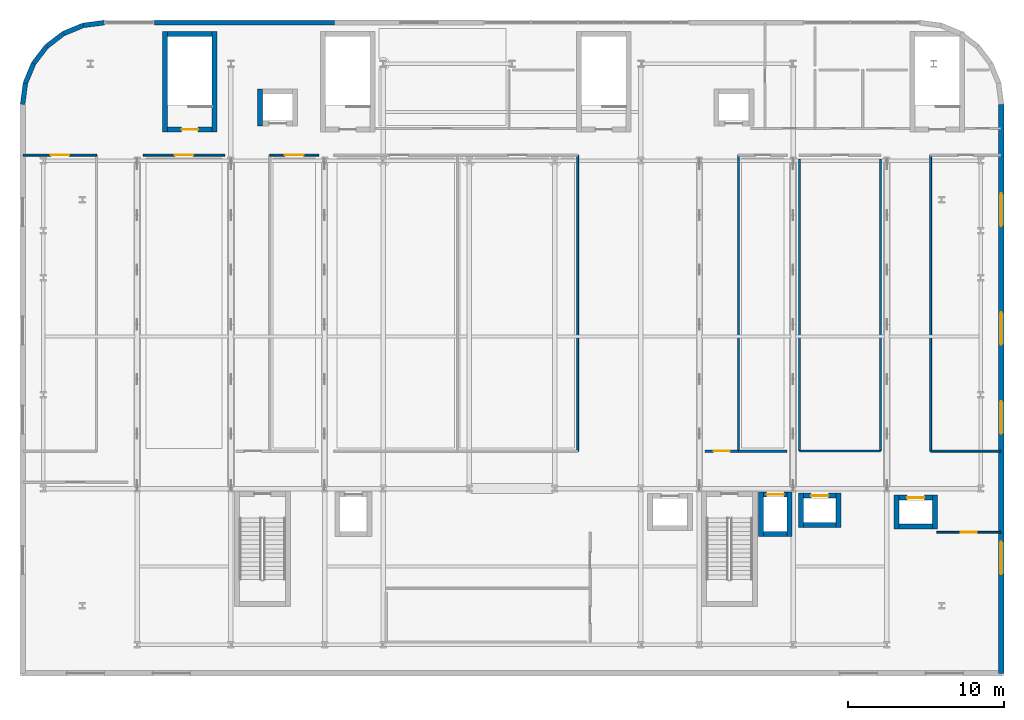
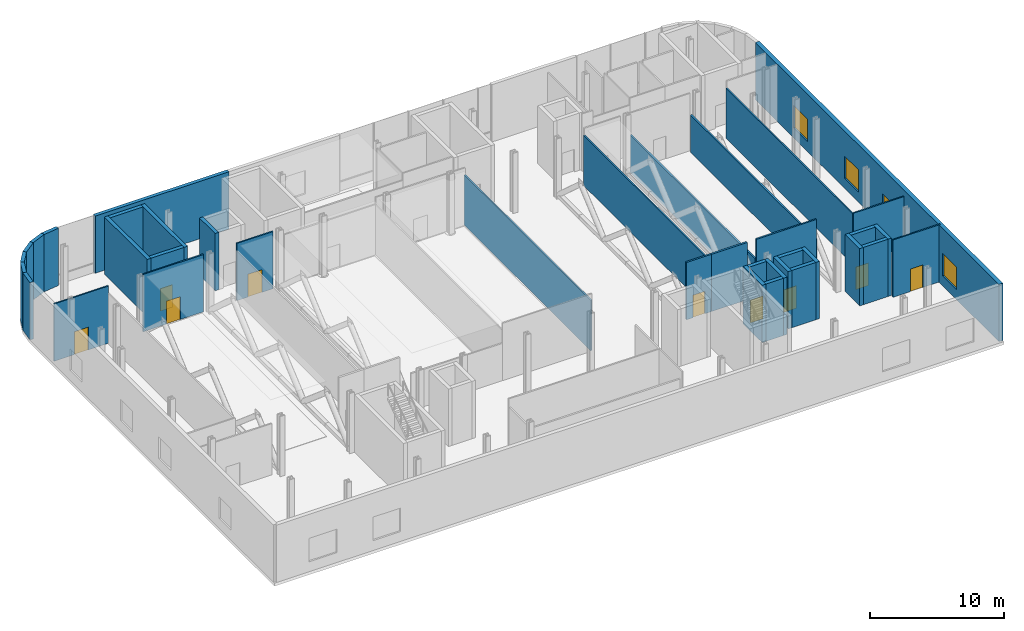
# One storey, part 12 of 17: 38 walls, 9 doors, 4 windows, 13 openings.
"""IFC4 building model written with IfcOpenShell, lengths in metres."""

from ifc_helpers import new_model, si_unit, direction, frame, frame_2d, origin, place, context, subcontext, project, spatial, rectangle, extrude, material, layer, layer_set, type_object, element, fill, save


model = new_model("IFC4")

# Units and contexts
model_context = context("Model", 3, precision=1e-05, world=origin(), true_north=direction((0.0, 1.0)))
body_context = subcontext(model_context, "Body", "Model", "MODEL_VIEW")
ifc_project = project(units=[si_unit("LENGTHUNIT", "METRE"), si_unit("AREAUNIT", "SQUARE_METRE"), si_unit("VOLUMEUNIT", "CUBIC_METRE"), si_unit("PLANEANGLEUNIT", "RADIAN"), si_unit("MASSUNIT", "GRAM", prefix="KILO")], contexts=[model_context])

# Site, building, storey
site_placement = place(None, origin())
site = spatial("IfcSite", under=ifc_project, at=site_placement, CompositionType="ELEMENT")
building_placement = place(site_placement, origin())
building = spatial("IfcBuilding", under=site, at=building_placement, Name="Brevholm Reach", CompositionType="ELEMENT")
storey_placement = place(building_placement, frame((0.0, 0.0, 22.5)))
storey = spatial("IfcBuildingStorey", under=building, at=storey_placement, Name="L05", CompositionType="ELEMENT", Elevation=22.5)

# Walls
ifc_material_1 = material(Name="Concrete C60/75", Category="concrete")
ifc_layer_1 = layer(ifc_material_1, 0.320068359375)
ifc_layer_set_1 = layer_set([ifc_layer_1], Name="Concrete C60/75")
wall_type_1 = type_object("IfcWallType", Name="WAL-COR-320", PredefinedType="SHEAR", material=ifc_layer_set_1)
for number, where, z_axis, x_axis, name in (
    (1, (7.7900390625, 32.830078125, 0.0), (0.0, 0.0, 1.0), (0.0, 1.0, 0.0), "L05 Escape Stair ST-S1 Core Wall W"),
    (2, (10.9599609375, 32.830078125, 0.0), (0.0, 0.0, 1.0), (0.0, 1.0, 0.0), "L05 Escape Stair ST-S1 Core Wall E"),
):
    element("IfcWall", number, at=place(storey_placement, frame(where, z_axis=z_axis, x_axis=x_axis)), inside=storey, type_object=wall_type_1, Name=name, PredefinedType="SHEAR", context=body_context, shape_type="SweptSolid", body=[
        extrude(rectangle(XDim=6.419921875, YDim=0.320068359375, at=frame_2d((3.2099609375, 0.0))), origin(), (0.0, 0.0, 1.0), 5.22998046875),
    ])

# Wall, opening, door
wall_1_placement = place(storey_placement, frame((7.949951171875, 32.989990234375, 0.0), z_axis=(0.0, 0.0, 1.0), x_axis=(1.0, 0.0, 0.0)))
wall_1 = element("IfcWall", 3, at=wall_1_placement, inside=storey, type_object=wall_type_1, Name="L05 Escape Stair ST-S1 Core Wall S", PredefinedType="SHEAR", context=body_context, shape_type="SweptSolid", body=[
    extrude(rectangle(XDim=2.85009765625, YDim=0.320068359375, at=frame_2d((1.425048828125, 0.0))), origin(), (0.0, 0.0, 1.0), 5.22998046875),
])
opening_1_placement = place(wall_1_placement, frame((0.89990234375, 0.0, 0.0)))
opening_1 = element("IfcOpeningElement", 4, at=opening_1_placement, cuts=wall_1, Name="Opening SD-ST-S1", PredefinedType="OPENING", context=body_context, shape_type="SweptSolid", body=[
    extrude(rectangle(XDim=1.050048828125, YDim=2.06005859375, at=frame_2d((0.52490234375, 1.030029296875))), frame((0.0, 0.169921875, 0.0), z_axis=(0.0, -1.0, 0.0), x_axis=(1.0, 0.0, 0.0)), (0.0, 0.0, 1.0), 0.340087890625),
])
ifc_material_2 = material(Name="Hardwood-Lipped Steel-Core Fire and Smoke Door", Category="steel")
door_type_1 = type_object("IfcDoorType", Name="DOR-INT-FD60S", OperationType="NOTDEFINED", PredefinedType="DOOR", material=ifc_material_2)
door_1_placement = place(opening_1_placement, origin())
door_1 = element("IfcDoor", 5, at=door_1_placement, inside=storey, type_object=door_type_1, Name="L05 Protected Stair ST-S1 Lobby Door", OperationType="SINGLE_SWING_RIGHT", OverallHeight=2.06005859375, OverallWidth=1.050048828125, PredefinedType="DOOR", context=body_context, shape_type="SweptSolid", body=[
    extrude(rectangle(XDim=1.050048828125, YDim=2.06005859375, at=frame_2d((0.52490234375, 1.030029296875))), frame((0.0, 0.02490234375, 0.0), z_axis=(0.0, -1.0, 0.0), x_axis=(1.0, 0.0, 0.0)), (0.0, 0.0, 1.0), 0.050048828125),
])
fill(opening_1, door_1)

# Walls
wall_2_placement = place(storey_placement, frame((10.800048828125, 39.090087890625, 0.0), z_axis=(0.0, 0.0, 1.0), x_axis=(-1.0, 0.0, 0.0)))
element("IfcWall", 6, at=wall_2_placement, inside=storey, type_object=wall_type_1, Name="L05 Escape Stair ST-S1 Core Wall N", PredefinedType="SHEAR", context=body_context, shape_type="SweptSolid", body=[
    extrude(rectangle(XDim=2.85009765625, YDim=0.320068359375, at=frame_2d((1.425048828125, 0.0))), origin(), (0.0, 0.0, 1.0), 5.22998046875),
])
for number, where, z_axis, x_axis, name in (
    (7, (45.929931640625, 6.919921875, 0.0), (0.0, 0.0, 1.0), (0.0, 1.0, 0.0), "L05 Lift FFL-2 Shaft Wall W"),
    (8, (47.77001953125, 6.919921875, 0.0), (0.0, 0.0, 1.0), (0.0, 1.0, 0.0), "L05 Lift FFL-2 Shaft Wall E"),
):
    element("IfcWall", number, at=place(storey_placement, frame(where, z_axis=z_axis, x_axis=x_axis)), inside=storey, type_object=wall_type_1, Name=name, PredefinedType="SHEAR", context=body_context, shape_type="SweptSolid", body=[
        extrude(rectangle(XDim=2.860107421875, YDim=0.320068359375, at=frame_2d((1.43017578125, 0.0))), origin(), (0.0, 0.0, 1.0), 5.22998046875),
    ])
wall_3_placement = place(storey_placement, frame((46.090087890625, 7.080078125, 0.0), z_axis=(0.0, 0.0, 1.0), x_axis=(1.0, 0.0, 0.0)))
element("IfcWall", 9, at=wall_3_placement, inside=storey, type_object=wall_type_1, Name="L05 Lift FFL-2 Shaft Wall S", PredefinedType="SHEAR", context=body_context, shape_type="SweptSolid", body=[
    extrude(rectangle(XDim=1.52001953125, YDim=0.320068359375, at=frame_2d((0.760009765625, 0.0))), origin(), (0.0, 0.0, 1.0), 5.22998046875),
])

# Wall, opening, door
wall_4_placement = place(storey_placement, frame((46.090087890625, 9.6201171875, 0.0), z_axis=(0.0, 0.0, 1.0), x_axis=(1.0, 0.0, 0.0)))
wall_4 = element("IfcWall", 10, at=wall_4_placement, inside=storey, type_object=wall_type_1, Name="L05 Lift FFL-2 Shaft Wall N", PredefinedType="SHEAR", context=body_context, shape_type="SweptSolid", body=[
    extrude(rectangle(XDim=1.52001953125, YDim=0.320068359375, at=frame_2d((0.760009765625, 0.0))), origin(), (0.0, 0.0, 1.0), 5.22998046875),
])
opening_2_placement = place(wall_4_placement, frame((0.2099609375, 0.0, 0.0)))
opening_2 = element("IfcOpeningElement", 11, at=opening_2_placement, cuts=wall_4, Name="Opening LD-FFL-2", PredefinedType="OPENING", context=body_context, shape_type="SweptSolid", body=[
    extrude(rectangle(XDim=1.10009765625, YDim=2.06005859375, at=frame_2d((0.550048828125, 1.030029296875))), frame((0.0, 0.169921875, 0.0), z_axis=(0.0, -1.0, 0.0), x_axis=(1.0, 0.0, 0.0)), (0.0, 0.0, 1.0), 0.340087890625),
])
ifc_material_3 = material(Name="Brushed Stainless Steel Fire-Rated Sliding Lift Door", Category="steel")
door_type_2 = type_object("IfcDoorType", Name="DOR-LFT-1100", OperationType="NOTDEFINED", PredefinedType="DOOR", material=ifc_material_3)
door_2_placement = place(opening_2_placement, origin())
door_2 = element("IfcDoor", 12, at=door_2_placement, inside=storey, type_object=door_type_2, Name="L05 Lift FFL-2 Sliding Landing Door", OperationType="SLIDING_TO_RIGHT", OverallHeight=2.06005859375, OverallWidth=1.10009765625, PredefinedType="DOOR", context=body_context, shape_type="SweptSolid", body=[
    extrude(rectangle(XDim=1.10009765625, YDim=2.06005859375, at=frame_2d((0.550048828125, 1.030029296875))), frame((0.0, 0.02490234375, 0.0), z_axis=(0.0, -1.0, 0.0), x_axis=(1.0, 0.0, 0.0)), (0.0, 0.0, 1.0), 0.050048828125),
])
fill(opening_2, door_2)

# Walls
for number, where, z_axis, x_axis, name in (
    (13, (48.5048828125, 7.4951171875, 0.0), (0.0, 0.0, 1.0), (0.0, 1.0, 0.0), "L05 Lift PL-L1 Shaft Wall W"),
    (14, (50.89501953125, 7.4951171875, 0.0), (0.0, 0.0, 1.0), (0.0, 1.0, 0.0), "L05 Lift PL-L1 Shaft Wall E"),
):
    element("IfcWall", number, at=place(storey_placement, frame(where, z_axis=z_axis, x_axis=x_axis)), inside=storey, type_object=wall_type_1, Name=name, PredefinedType="SHEAR", context=body_context, shape_type="SweptSolid", body=[
        extrude(rectangle(XDim=2.2099609375, YDim=0.320068359375, at=frame_2d((1.10498046875, 0.0))), origin(), (0.0, 0.0, 1.0), 5.22998046875),
    ])
wall_5_placement = place(storey_placement, frame((48.6650390625, 7.655029296875, 0.0), z_axis=(0.0, 0.0, 1.0), x_axis=(1.0, 0.0, 0.0)))
element("IfcWall", 15, at=wall_5_placement, inside=storey, type_object=wall_type_1, Name="L05 Lift PL-L1 Shaft Wall S", PredefinedType="SHEAR", context=body_context, shape_type="SweptSolid", body=[
    extrude(rectangle(XDim=2.070068359375, YDim=0.320068359375, at=frame_2d((1.03515625, 0.0))), origin(), (0.0, 0.0, 1.0), 5.22998046875),
])

# Wall, opening, door
wall_6_placement = place(storey_placement, frame((48.6650390625, 9.544921875, 0.0), z_axis=(0.0, 0.0, 1.0), x_axis=(1.0, 0.0, 0.0)))
wall_6 = element("IfcWall", 16, at=wall_6_placement, inside=storey, type_object=wall_type_1, Name="L05 Lift PL-L1 Shaft Wall N", PredefinedType="SHEAR", context=body_context, shape_type="SweptSolid", body=[
    extrude(rectangle(XDim=2.070068359375, YDim=0.320068359375, at=frame_2d((1.03515625, 0.0))), origin(), (0.0, 0.0, 1.0), 5.22998046875),
])
opening_3_placement = place(wall_6_placement, frame((0.485107421875, 0.0, 0.0)))
opening_3 = element("IfcOpeningElement", 17, at=opening_3_placement, cuts=wall_6, Name="Opening LD-PL-L1", PredefinedType="OPENING", context=body_context, shape_type="SweptSolid", body=[
    extrude(rectangle(XDim=1.10009765625, YDim=2.06005859375, at=frame_2d((0.550048828125, 1.030029296875))), frame((0.0, 0.169921875, 0.0), z_axis=(0.0, -1.0, 0.0), x_axis=(1.0, 0.0, 0.0)), (0.0, 0.0, 1.0), 0.340087890625),
])
door_3_placement = place(opening_3_placement, origin())
door_3 = element("IfcDoor", 18, at=door_3_placement, inside=storey, type_object=door_type_2, Name="L05 Lift PL-L1 Sliding Landing Door", OperationType="SLIDING_TO_LEFT", OverallHeight=2.06005859375, OverallWidth=1.10009765625, PredefinedType="DOOR", context=body_context, shape_type="SweptSolid", body=[
    extrude(rectangle(XDim=1.10009765625, YDim=2.06005859375, at=frame_2d((0.550048828125, 1.030029296875))), frame((0.0, 0.02490234375, 0.0), z_axis=(0.0, -1.0, 0.0), x_axis=(1.0, 0.0, 0.0)), (0.0, 0.0, 1.0), 0.050048828125),
])
fill(opening_3, door_3)

# Walls
for number, where, z_axis, x_axis, name in (
    (19, (54.6298828125, 7.419921875, 0.0), (0.0, 0.0, 1.0), (0.0, 1.0, 0.0), "L05 Lift PL-L2 Shaft Wall W"),
    (20, (57.070068359375, 7.419921875, 0.0), (0.0, 0.0, 1.0), (0.0, 1.0, 0.0), "L05 Lift PL-L2 Shaft Wall E"),
):
    element("IfcWall", number, at=place(storey_placement, frame(where, z_axis=z_axis, x_axis=x_axis)), inside=storey, type_object=wall_type_1, Name=name, PredefinedType="SHEAR", context=body_context, shape_type="SweptSolid", body=[
        extrude(rectangle(XDim=2.16015625, YDim=0.320068359375, at=frame_2d((1.080078125, 0.0))), origin(), (0.0, 0.0, 1.0), 5.22998046875),
    ])
wall_7_placement = place(storey_placement, frame((54.7900390625, 7.580078125, 0.0), z_axis=(0.0, 0.0, 1.0), x_axis=(1.0, 0.0, 0.0)))
element("IfcWall", 21, at=wall_7_placement, inside=storey, type_object=wall_type_1, Name="L05 Lift PL-L2 Shaft Wall S", PredefinedType="SHEAR", context=body_context, shape_type="SweptSolid", body=[
    extrude(rectangle(XDim=2.119873046875, YDim=0.320068359375, at=frame_2d((1.06005859375, 0.0))), origin(), (0.0, 0.0, 1.0), 5.22998046875),
])

# Wall, opening, door
wall_8_placement = place(storey_placement, frame((54.7900390625, 9.419921875, 0.0), z_axis=(0.0, 0.0, 1.0), x_axis=(1.0, 0.0, 0.0)))
wall_8 = element("IfcWall", 22, at=wall_8_placement, inside=storey, type_object=wall_type_1, Name="L05 Lift PL-L2 Shaft Wall N", PredefinedType="SHEAR", context=body_context, shape_type="SweptSolid", body=[
    extrude(rectangle(XDim=2.119873046875, YDim=0.320068359375, at=frame_2d((1.06005859375, 0.0))), origin(), (0.0, 0.0, 1.0), 5.22998046875),
])
opening_4_placement = place(wall_8_placement, frame((0.510009765625, 0.0, 0.0)))
opening_4 = element("IfcOpeningElement", 23, at=opening_4_placement, cuts=wall_8, Name="Opening LD-PL-L2", PredefinedType="OPENING", context=body_context, shape_type="SweptSolid", body=[
    extrude(rectangle(XDim=1.10009765625, YDim=2.06005859375, at=frame_2d((0.550048828125, 1.030029296875))), frame((0.0, 0.169921875, 0.0), z_axis=(0.0, -1.0, 0.0), x_axis=(1.0, 0.0, 0.0)), (0.0, 0.0, 1.0), 0.340087890625),
])
door_4_placement = place(opening_4_placement, origin())
door_4 = element("IfcDoor", 24, at=door_4_placement, inside=storey, type_object=door_type_2, Name="L05 Lift PL-L2 Sliding Landing Door", OperationType="SLIDING_TO_RIGHT", OverallHeight=2.06005859375, OverallWidth=1.10009765625, PredefinedType="DOOR", context=body_context, shape_type="SweptSolid", body=[
    extrude(rectangle(XDim=1.10009765625, YDim=2.06005859375, at=frame_2d((0.550048828125, 1.030029296875))), frame((0.0, 0.02490234375, 0.0), z_axis=(0.0, -1.0, 0.0), x_axis=(1.0, 0.0, 0.0)), (0.0, 0.0, 1.0), 0.050048828125),
])
fill(opening_4, door_4)

# Walls
wall_9_placement = place(storey_placement, frame((13.8798828125, 33.219970703125, 0.0), z_axis=(0.0, 0.0, 1.0), x_axis=(0.0, 1.0, 0.0)))
element("IfcWall", 25, at=wall_9_placement, inside=storey, type_object=wall_type_1, Name="L05 Lift SL-1 Shaft Wall W", PredefinedType="SHEAR", context=body_context, shape_type="SweptSolid", body=[
    extrude(rectangle(XDim=2.360107421875, YDim=0.320068359375, at=frame_2d((1.18017578125, 0.0))), origin(), (0.0, 0.0, 1.0), 5.22998046875),
])
ifc_material_4 = material(Name="Concrete C40/50", Category="concrete")
ifc_layer_2 = layer(ifc_material_4, 0.300048828125)
ifc_layer_set_2 = layer_set([ifc_layer_2], Name="Concrete C40/50")
wall_type_2 = type_object("IfcWallType", Name="WAL-EXT-300", PredefinedType="STANDARD", material=ifc_layer_set_2)
wall_10_placement = place(storey_placement, frame((-1.330078125, 34.60009765625, 0.0), z_axis=(0.0, 0.0, 1.0), x_axis=(0.13054703207, 0.991442117533, 0.0)))
element("IfcWall", 26, at=wall_10_placement, inside=storey, type_object=wall_type_2, Name="L05 Facade Wall WAL-L05-NWP-1", PredefinedType="STANDARD", context=body_context, shape_type="SweptSolid", body=[
    extrude(rectangle(XDim=1.365234375, YDim=0.300048828125, at=frame_2d((0.6826171875, 0.0))), origin(), (0.0, 0.0, 1.0), 5.22998046875),
])
wall_11_placement = place(storey_placement, frame((-1.15185546875, 35.95361328125, 0.0), z_axis=(0.0, 0.0, 1.0), x_axis=(0.382646577594, 0.923894797396, 0.0)))
element("IfcWall", 27, at=wall_11_placement, inside=storey, type_object=wall_type_2, Name="L05 Facade Wall WAL-L05-NWP-2", PredefinedType="STANDARD", context=body_context, shape_type="SweptSolid", body=[
    extrude(rectangle(XDim=1.365478515625, YDim=0.300048828125, at=frame_2d((0.6826171875, 0.0))), origin(), (0.0, 0.0, 1.0), 5.22998046875),
])
for number, where, z_axis, x_axis, name in (
    (28, (-0.62939453125, 37.215087890625, 0.0), (0.0, 0.0, 1.0), (0.6088894473, 0.793255091989, 0.0), "L05 Facade Wall WAL-L05-NWP-3"),
    (29, (0.201904296875, 38.298095703125, 0.0), (0.0, 0.0, 1.0), (0.793255091989, 0.6088894473, 0.0), "L05 Facade Wall WAL-L05-NWP-4"),
):
    element("IfcWall", number, at=place(storey_placement, frame(where, z_axis=z_axis, x_axis=x_axis)), inside=storey, type_object=wall_type_2, Name=name, PredefinedType="STANDARD", context=body_context, shape_type="SweptSolid", body=[
        extrude(rectangle(XDim=1.365234375, YDim=0.300048828125, at=frame_2d((0.6826171875, 0.0))), origin(), (0.0, 0.0, 1.0), 5.22998046875),
    ])
wall_12_placement = place(storey_placement, frame((1.284912109375, 39.12939453125, 0.0), z_axis=(0.0, 0.0, 1.0), x_axis=(0.923894797396, 0.382646577594, 0.0)))
element("IfcWall", 30, at=wall_12_placement, inside=storey, type_object=wall_type_2, Name="L05 Facade Wall WAL-L05-NWP-5", PredefinedType="STANDARD", context=body_context, shape_type="SweptSolid", body=[
    extrude(rectangle(XDim=1.365478515625, YDim=0.300048828125, at=frame_2d((0.6826171875, 0.0))), origin(), (0.0, 0.0, 1.0), 5.22998046875),
])
wall_13_placement = place(storey_placement, frame((2.54638671875, 39.65185546875, 0.0), z_axis=(0.0, 0.0, 1.0), x_axis=(0.991442117533, 0.13054703207, 0.0)))
element("IfcWall", 31, at=wall_13_placement, inside=storey, type_object=wall_type_2, Name="L05 Facade Wall WAL-L05-NWP-6", PredefinedType="STANDARD", context=body_context, shape_type="SweptSolid", body=[
    extrude(rectangle(XDim=1.365234375, YDim=0.300048828125, at=frame_2d((0.6826171875, 0.0))), origin(), (0.0, 0.0, 1.0), 5.22998046875),
])
wall_14_placement = place(storey_placement, frame((7.10009765625, 39.830078125, 0.0), z_axis=(0.0, 0.0, 1.0), x_axis=(1.0, 0.0, 0.0)))
element("IfcWall", 32, at=wall_14_placement, inside=storey, type_object=wall_type_2, Name="L05 Facade Wall WAL-L05-NPW", PredefinedType="STANDARD", context=body_context, shape_type="SweptSolid", body=[
    extrude(rectangle(XDim=11.5498046875, YDim=0.300048828125, at=frame_2d((5.77490234375, 0.0))), origin(), (0.0, 0.0, 1.0), 5.22998046875),
])

# Wall, openings, windows
ifc_material_5 = material(Name="Concrete C40/50", Category="concrete")
ifc_layer_3 = layer(ifc_material_5, 0.340087890625)
ifc_layer_set_3 = layer_set([ifc_layer_3], Name="Concrete C40/50")
wall_type_3 = type_object("IfcWallType", Name="WAL-EXT-340", PredefinedType="STANDARD", material=ifc_layer_set_3)
wall_15_placement = place(storey_placement, frame((61.330078125, -1.830078125, 0.0), z_axis=(0.0, 0.0, 1.0), x_axis=(0.0, 1.0, 0.0)))
wall_15 = element("IfcWall", 33, at=wall_15_placement, inside=storey, type_object=wall_type_3, Name="L05 Facade Wall WAL-L05-E", PredefinedType="STANDARD", context=body_context, shape_type="SweptSolid", body=[
    extrude(rectangle(XDim=36.43017578125, YDim=0.340087890625, at=frame_2d((18.215087890625, 0.0))), origin(), (0.0, 0.0, 1.0), 5.22998046875),
])
opening_5_placement = place(wall_15_placement, frame((6.330078125, 0.0, 0.89990234375)))
opening_5 = element("IfcOpeningElement", 34, at=opening_5_placement, cuts=wall_15, Name="Opening WN-02", PredefinedType="OPENING", context=body_context, shape_type="SweptSolid", body=[
    extrude(rectangle(XDim=2.10009765625, YDim=2.050048828125, at=frame_2d((1.050048828125, 1.02490234375))), frame((0.0, 0.179931640625, 0.0), z_axis=(0.0, -1.0, 0.0), x_axis=(1.0, 0.0, 0.0)), (0.0, 0.0, 1.0), 0.360107421875),
])
opening_6_placement = place(wall_15_placement, frame((15.330078125, 0.0, 0.89990234375)))
opening_6 = element("IfcOpeningElement", 35, at=opening_6_placement, cuts=wall_15, Name="Opening WN-02", PredefinedType="OPENING", context=body_context, shape_type="SweptSolid", body=[
    extrude(rectangle(XDim=2.10009765625, YDim=2.050048828125, at=frame_2d((1.050048828125, 1.02490234375))), frame((0.0, 0.179931640625, 0.0), z_axis=(0.0, -1.0, 0.0), x_axis=(1.0, 0.0, 0.0)), (0.0, 0.0, 1.0), 0.360107421875),
])
opening_7_placement = place(wall_15_placement, frame((21.030029296875, 0.0, 0.89990234375)))
opening_7 = element("IfcOpeningElement", 36, at=opening_7_placement, cuts=wall_15, Name="Opening WN-02", PredefinedType="OPENING", context=body_context, shape_type="SweptSolid", body=[
    extrude(rectangle(XDim=2.10009765625, YDim=2.050048828125, at=frame_2d((1.050048828125, 1.02490234375))), frame((0.0, 0.179931640625, 0.0), z_axis=(0.0, -1.0, 0.0), x_axis=(1.0, 0.0, 0.0)), (0.0, 0.0, 1.0), 0.360107421875),
])
opening_8_placement = place(wall_15_placement, frame((28.6298828125, 0.0, 0.89990234375)))
opening_8 = element("IfcOpeningElement", 37, at=opening_8_placement, cuts=wall_15, Name="Opening WN-02", PredefinedType="OPENING", context=body_context, shape_type="SweptSolid", body=[
    extrude(rectangle(XDim=2.10009765625, YDim=2.050048828125, at=frame_2d((1.050048828125, 1.02490234375))), frame((0.0, 0.179931640625, 0.0), z_axis=(0.0, -1.0, 0.0), x_axis=(1.0, 0.0, 0.0)), (0.0, 0.0, 1.0), 0.360107421875),
])
ifc_material_6 = material(Name="Dark Anodised Aluminium and Solar-Control IGU Glass", Category="aluminium")
window_type = type_object("IfcWindowType", Name="WIN-SCH-2100", PartitioningType="SINGLE_PANEL", PredefinedType="WINDOW", material=ifc_material_6)
window_1_placement = place(opening_5_placement, origin())
window_1 = element("IfcWindow", 38, at=window_1_placement, inside=storey, type_object=window_type, Name="L05 Window WIN-L05-E-1", OverallHeight=2.050048828125, OverallWidth=2.10009765625, PartitioningType="SINGLE_PANEL", PredefinedType="WINDOW", context=body_context, shape_type="SweptSolid", body=[
    extrude(rectangle(XDim=2.10009765625, YDim=2.050048828125, at=frame_2d((1.050048828125, 1.02490234375))), frame((0.0, 0.030029296875, 0.0), z_axis=(0.0, -1.0, 0.0), x_axis=(1.0, 0.0, 0.0)), (0.0, 0.0, 1.0), 0.06005859375),
])
fill(opening_5, window_1)
window_2_placement = place(opening_6_placement, origin())
window_2 = element("IfcWindow", 39, at=window_2_placement, inside=storey, type_object=window_type, Name="L05 Window WIN-L05-E-2", OverallHeight=2.050048828125, OverallWidth=2.10009765625, PartitioningType="SINGLE_PANEL", PredefinedType="WINDOW", context=body_context, shape_type="SweptSolid", body=[
    extrude(rectangle(XDim=2.10009765625, YDim=2.050048828125, at=frame_2d((1.050048828125, 1.02490234375))), frame((0.0, 0.030029296875, 0.0), z_axis=(0.0, -1.0, 0.0), x_axis=(1.0, 0.0, 0.0)), (0.0, 0.0, 1.0), 0.06005859375),
])
fill(opening_6, window_2)
window_3_placement = place(opening_7_placement, origin())
window_3 = element("IfcWindow", 40, at=window_3_placement, inside=storey, type_object=window_type, Name="L05 Window WIN-L05-E-3", OverallHeight=2.050048828125, OverallWidth=2.10009765625, PartitioningType="SINGLE_PANEL", PredefinedType="WINDOW", context=body_context, shape_type="SweptSolid", body=[
    extrude(rectangle(XDim=2.10009765625, YDim=2.050048828125, at=frame_2d((1.050048828125, 1.02490234375))), frame((0.0, 0.030029296875, 0.0), z_axis=(0.0, -1.0, 0.0), x_axis=(1.0, 0.0, 0.0)), (0.0, 0.0, 1.0), 0.06005859375),
])
fill(opening_7, window_3)
window_4_placement = place(opening_8_placement, origin())
window_4 = element("IfcWindow", 41, at=window_4_placement, inside=storey, type_object=window_type, Name="L05 Window WIN-L05-E-4", OverallHeight=2.050048828125, OverallWidth=2.10009765625, PartitioningType="SINGLE_PANEL", PredefinedType="WINDOW", context=body_context, shape_type="SweptSolid", body=[
    extrude(rectangle(XDim=2.10009765625, YDim=2.050048828125, at=frame_2d((1.050048828125, 1.02490234375))), frame((0.0, 0.030029296875, 0.0), z_axis=(0.0, -1.0, 0.0), x_axis=(1.0, 0.0, 0.0)), (0.0, 0.0, 1.0), 0.06005859375),
])
fill(opening_8, window_4)

# Wall, opening, door
ifc_material_7 = material(Name="Acoustic Fire-Rated Classroom Gypsum Partition 120 mm", Category="gypsum")
ifc_layer_4 = layer(ifc_material_7, 0.1201171875)
ifc_layer_set_4 = layer_set([ifc_layer_4], Name="Acoustic Fire-Rated Classroom Gypsum Partition 120 mm")
wall_type_4 = type_object("IfcWallType", Name="WAL-PRT-120", PredefinedType="PARTITIONING", material=ifc_layer_set_4)
wall_16_placement = place(storey_placement, frame((6.388671875, 31.35009765625, 0.0), z_axis=(0.0, 0.0, 1.0), x_axis=(1.0, 0.0, 0.0)))
wall_16 = element("IfcWall", 42, at=wall_16_placement, inside=storey, type_object=wall_type_4, Name="L05 Internal Partition 015", PredefinedType="PARTITIONING", context=body_context, shape_type="SweptSolid", body=[
    extrude(rectangle(XDim=5.22265625, YDim=0.1201171875, at=frame_2d((2.611328125, 0.0))), origin(), (0.0, 0.0, 1.0), 5.22998046875),
])
opening_9_placement = place(wall_16_placement, frame((2.01123046875, 0.0, 0.0)))
opening_9 = element("IfcOpeningElement", 43, at=opening_9_placement, cuts=wall_16, Name="Opening ID-SC", PredefinedType="OPENING", context=body_context, shape_type="SweptSolid", body=[
    extrude(rectangle(XDim=1.199951171875, YDim=2.080078125, at=frame_2d((0.60009765625, 1.0400390625))), frame((0.0, 0.070068359375, 0.0), z_axis=(0.0, -1.0, 0.0), x_axis=(1.0, 0.0, 0.0)), (0.0, 0.0, 1.0), 0.14013671875),
])
ifc_material_8 = material(Name="Acoustic European Oak Classroom Vision-Panel Fire Door", Category="timber")
door_type_3 = type_object("IfcDoorType", Name="DOR-SCH-1200", OperationType="NOTDEFINED", PredefinedType="DOOR", material=ifc_material_8)
door_5_placement = place(opening_9_placement, origin())
door_5 = element("IfcDoor", 44, at=door_5_placement, inside=storey, type_object=door_type_3, Name="L05 Internal Door 011", OperationType="SINGLE_SWING_LEFT", OverallHeight=2.080078125, OverallWidth=1.199951171875, PredefinedType="DOOR", context=body_context, shape_type="SweptSolid", body=[
    extrude(rectangle(XDim=1.199951171875, YDim=2.080078125, at=frame_2d((0.60009765625, 1.0400390625))), frame((0.0, 0.02490234375, 0.0), z_axis=(0.0, -1.0, 0.0), x_axis=(1.0, 0.0, 0.0)), (0.0, 0.0, 1.0), 0.050048828125),
])
fill(opening_9, door_5)

wall_17_placement = place(storey_placement, frame((14.49267578125, 31.35009765625, 0.0), z_axis=(0.0, 0.0, 1.0), x_axis=(1.0, 0.0, 0.0)))
wall_17 = element("IfcWall", 45, at=wall_17_placement, inside=storey, type_object=wall_type_4, Name="L05 Internal Partition 016", PredefinedType="PARTITIONING", context=body_context, shape_type="SweptSolid", body=[
    extrude(rectangle(XDim=3.11865234375, YDim=0.1201171875, at=frame_2d((1.559326171875, 0.0))), origin(), (0.0, 0.0, 1.0), 5.22998046875),
])
opening_10_placement = place(wall_17_placement, frame((0.959228515625, 0.0, 0.0)))
opening_10 = element("IfcOpeningElement", 46, at=opening_10_placement, cuts=wall_17, Name="Opening ID-SC", PredefinedType="OPENING", context=body_context, shape_type="SweptSolid", body=[
    extrude(rectangle(XDim=1.199951171875, YDim=2.080078125, at=frame_2d((0.60009765625, 1.0400390625))), frame((0.0, 0.070068359375, 0.0), z_axis=(0.0, -1.0, 0.0), x_axis=(1.0, 0.0, 0.0)), (0.0, 0.0, 1.0), 0.14013671875),
])
door_6_placement = place(opening_10_placement, origin())
door_6 = element("IfcDoor", 47, at=door_6_placement, inside=storey, type_object=door_type_3, Name="L05 Internal Door 012", OperationType="SINGLE_SWING_RIGHT", OverallHeight=2.080078125, OverallWidth=1.199951171875, PredefinedType="DOOR", context=body_context, shape_type="SweptSolid", body=[
    extrude(rectangle(XDim=1.199951171875, YDim=2.080078125, at=frame_2d((0.60009765625, 1.0400390625))), frame((0.0, 0.02490234375, 0.0), z_axis=(0.0, -1.0, 0.0), x_axis=(1.0, 0.0, 0.0)), (0.0, 0.0, 1.0), 0.050048828125),
])
fill(opening_10, door_6)

wall_18_placement = place(storey_placement, frame((-1.300048828125, 31.35009765625, 0.0), z_axis=(0.0, 0.0, 1.0), x_axis=(1.0, 0.0, 0.0)))
wall_18 = element("IfcWall", 48, at=wall_18_placement, inside=storey, type_object=wall_type_4, Name="L05 Internal Partition 019", PredefinedType="PARTITIONING", context=body_context, shape_type="SweptSolid", body=[
    extrude(rectangle(XDim=4.707275390625, YDim=0.1201171875, at=frame_2d((2.353515625, 0.0))), origin(), (0.0, 0.0, 1.0), 5.22998046875),
])
opening_11_placement = place(wall_18_placement, frame((1.753662109375, 0.0, 0.0)))
opening_11 = element("IfcOpeningElement", 49, at=opening_11_placement, cuts=wall_18, Name="Opening ID-SC", PredefinedType="OPENING", context=body_context, shape_type="SweptSolid", body=[
    extrude(rectangle(XDim=1.199951171875, YDim=2.080078125, at=frame_2d((0.60009765625, 1.0400390625))), frame((0.0, 0.070068359375, 0.0), z_axis=(0.0, -1.0, 0.0), x_axis=(1.0, 0.0, 0.0)), (0.0, 0.0, 1.0), 0.14013671875),
])
door_7_placement = place(opening_11_placement, origin())
door_7 = element("IfcDoor", 50, at=door_7_placement, inside=storey, type_object=door_type_3, Name="L05 Internal Door 015", OperationType="SINGLE_SWING_LEFT", OverallHeight=2.080078125, OverallWidth=1.199951171875, PredefinedType="DOOR", context=body_context, shape_type="SweptSolid", body=[
    extrude(rectangle(XDim=1.199951171875, YDim=2.080078125, at=frame_2d((0.60009765625, 1.0400390625))), frame((0.0, 0.02490234375, 0.0), z_axis=(0.0, -1.0, 0.0), x_axis=(1.0, 0.0, 0.0)), (0.0, 0.0, 1.0), 0.050048828125),
])
fill(opening_11, door_7)

# Walls
for number, where, z_axis, x_axis, name in (
    (51, (44.5, 12.404052734375, 0.0), (0.0, 0.0, 1.0), (0.0, 1.0, 0.0), "L05 Internal Partition 026"),
    (52, (34.199951171875, 12.404052734375, 0.0), (0.0, 0.0, 1.0), (0.0, 1.0, 0.0), "L05 Internal Partition 027"),
):
    element("IfcWall", number, at=place(storey_placement, frame(where, z_axis=z_axis, x_axis=x_axis)), inside=storey, type_object=wall_type_4, Name=name, PredefinedType="PARTITIONING", context=body_context, shape_type="SweptSolid", body=[
        extrude(rectangle(XDim=18.94189453125, YDim=0.1201171875, at=frame_2d((9.470947265625, 0.0))), origin(), (0.0, 0.0, 1.0), 4.584716796875),
    ])
wall_19_placement = place(storey_placement, frame((56.800048828125, 12.39990234375, 0.0), z_axis=(0.0, 0.0, 1.0), x_axis=(0.0, 1.0, 0.0)))
element("IfcWall", 53, at=wall_19_placement, inside=storey, type_object=wall_type_4, Name="L05 Internal Partition 036", PredefinedType="PARTITIONING", context=body_context, shape_type="SweptSolid", body=[
    extrude(rectangle(XDim=18.946044921875, YDim=0.1201171875, at=frame_2d((9.47314453125, 0.0))), origin(), (0.0, 0.0, 1.0), 4.584716796875),
])
wall_20_placement = place(storey_placement, frame((56.803955078125, 12.39990234375, 0.0), z_axis=(0.0, 0.0, 1.0), x_axis=(1.0, 0.0, 0.0)))
element("IfcWall", 54, at=wall_20_placement, inside=storey, type_object=wall_type_4, Name="L05 Internal Partition 037", PredefinedType="PARTITIONING", context=body_context, shape_type="SweptSolid", body=[
    extrude(rectangle(XDim=4.49609375, YDim=0.1201171875, at=frame_2d((2.248046875, 0.0))), origin(), (0.0, 0.0, 1.0), 4.66552734375),
])

# Wall, opening, door
wall_21_placement = place(storey_placement, frame((57.188720703125, 7.199951171875, 0.0), z_axis=(0.0, 0.0, 1.0), x_axis=(1.0, 0.0, 0.0)))
wall_21 = element("IfcWall", 55, at=wall_21_placement, inside=storey, type_object=wall_type_4, Name="L05 Internal Partition 038", PredefinedType="PARTITIONING", context=body_context, shape_type="SweptSolid", body=[
    extrude(rectangle(XDim=4.111328125, YDim=0.1201171875, at=frame_2d((2.0556640625, 0.0))), origin(), (0.0, 0.0, 1.0), 5.22998046875),
])
opening_12_placement = place(wall_21_placement, frame((1.53076171875, 0.0, 0.0)))
opening_12 = element("IfcOpeningElement", 56, at=opening_12_placement, cuts=wall_21, Name="Opening FD-01", PredefinedType="OPENING", context=body_context, shape_type="SweptSolid", body=[
    extrude(rectangle(XDim=1.050048828125, YDim=2.06005859375, at=frame_2d((0.52490234375, 1.030029296875))), frame((0.0, 0.070068359375, 0.0), z_axis=(0.0, -1.0, 0.0), x_axis=(1.0, 0.0, 0.0)), (0.0, 0.0, 1.0), 0.14013671875),
])
door_8_placement = place(opening_12_placement, origin())
door_8 = element("IfcDoor", 57, at=door_8_placement, inside=storey, type_object=door_type_1, Name="L05 Internal Door 020", OperationType="SINGLE_SWING_RIGHT", OverallHeight=2.06005859375, OverallWidth=1.050048828125, PredefinedType="DOOR", context=body_context, shape_type="SweptSolid", body=[
    extrude(rectangle(XDim=1.050048828125, YDim=2.06005859375, at=frame_2d((0.52490234375, 1.030029296875))), frame((0.0, 0.02490234375, 0.0), z_axis=(0.0, -1.0, 0.0), x_axis=(1.0, 0.0, 0.0)), (0.0, 0.0, 1.0), 0.050048828125),
])
fill(opening_12, door_8)

# Walls
ifc_material_9 = material(Name="Twin-Stud Acoustic Fire-Rated Gypsum Partition 140 mm", Category="gypsum")
ifc_layer_5 = layer(ifc_material_9, 0.139892578125)
ifc_layer_set_5 = layer_set([ifc_layer_5], Name="Twin-Stud Acoustic Fire-Rated Gypsum Partition 140 mm")
wall_type_5 = type_object("IfcWallType", Name="WAL-PRT-140", PredefinedType="PARTITIONING", material=ifc_layer_set_5)
wall_22_placement = place(storey_placement, frame((48.39990234375, 12.39990234375, 0.0), z_axis=(0.0, 0.0, 1.0), x_axis=(1.0, 0.0, 0.0)))
element("IfcWall", 58, at=wall_22_placement, inside=storey, type_object=wall_type_5, Name="L05 Internal Partition 046", PredefinedType="PARTITIONING", context=body_context, shape_type="SweptSolid", body=[
    extrude(rectangle(XDim=5.2001953125, YDim=0.139892578125, at=frame_2d((2.60009765625, 0.0))), origin(), (0.0, 0.0, 1.0), 5.22998046875),
])
for number, where, z_axis, x_axis, name in (
    (59, (53.60009765625, 12.39990234375, 0.0), (0.0, 0.0, 1.0), (0.0, 1.0, 0.0), "L05 Internal Partition 047"),
    (60, (48.39990234375, 12.39990234375, 0.0), (0.0, 0.0, 1.0), (0.0, 1.0, 0.0), "L05 Internal Partition 048"),
):
    element("IfcWall", number, at=place(storey_placement, frame(where, z_axis=z_axis, x_axis=x_axis)), inside=storey, type_object=wall_type_5, Name=name, PredefinedType="PARTITIONING", context=body_context, shape_type="SweptSolid", body=[
        extrude(rectangle(XDim=18.710205078125, YDim=0.139892578125, at=frame_2d((9.35498046875, 0.0))), origin(), (0.0, 0.0, 1.0), 3.405029296875),
    ])

# Wall, opening, door
ifc_material_10 = material(Name="Twin-Frame Fire-Rated Gypsum Board and Mineral Wool 160 mm", Category="gypsum")
ifc_layer_6 = layer(ifc_material_10, 0.159912109375)
ifc_layer_set_6 = layer_set([ifc_layer_6], Name="Twin-Frame Fire-Rated Gypsum Board and Mineral Wool 160 mm")
wall_type_6 = type_object("IfcWallType", Name="WAL-PRT-160", PredefinedType="PARTITIONING", material=ifc_layer_set_6)
wall_23_placement = place(storey_placement, frame((42.35009765625, 12.39990234375, 0.0), z_axis=(0.0, 0.0, 1.0), x_axis=(1.0, 0.0, 0.0)))
wall_23 = element("IfcWall", 61, at=wall_23_placement, inside=storey, type_object=wall_type_6, Name="L05 Internal Partition 006", PredefinedType="PARTITIONING", context=body_context, shape_type="SweptSolid", body=[
    extrude(rectangle(XDim=2.1611328125, YDim=0.159912109375, at=frame_2d((1.08056640625, 0.0))), origin(), (0.0, 0.0, 1.0), 5.22998046875),
])
opening_13_placement = place(wall_23_placement, frame((0.5556640625, 0.0, 0.0)))
opening_13 = element("IfcOpeningElement", 62, at=opening_13_placement, cuts=wall_23, Name="Opening FD-01", PredefinedType="OPENING", context=body_context, shape_type="SweptSolid", body=[
    extrude(rectangle(XDim=1.050048828125, YDim=2.06005859375, at=frame_2d((0.52490234375, 1.030029296875))), frame((0.0, 0.08984375, 0.0), z_axis=(0.0, -1.0, 0.0), x_axis=(1.0, 0.0, 0.0)), (0.0, 0.0, 1.0), 0.179931640625),
])
door_9_placement = place(opening_13_placement, origin())
door_9 = element("IfcDoor", 63, at=door_9_placement, inside=storey, type_object=door_type_1, Name="L05 Internal Door 004", OperationType="SINGLE_SWING_RIGHT", OverallHeight=2.06005859375, OverallWidth=1.050048828125, PredefinedType="DOOR", context=body_context, shape_type="SweptSolid", body=[
    extrude(rectangle(XDim=1.050048828125, YDim=2.06005859375, at=frame_2d((0.52490234375, 1.030029296875))), frame((0.0, 0.02490234375, 0.0), z_axis=(0.0, -1.0, 0.0), x_axis=(1.0, 0.0, 0.0)), (0.0, 0.0, 1.0), 0.050048828125),
])
fill(opening_13, door_9)

# Wall
wall_24_placement = place(storey_placement, frame((44.49267578125, 12.39990234375, 0.0), z_axis=(0.0, 0.0, 1.0), x_axis=(1.0, 0.0, 0.0)))
element("IfcWall", 64, at=wall_24_placement, inside=storey, type_object=wall_type_6, Name="L05 Internal Partition 007", PredefinedType="PARTITIONING", context=body_context, shape_type="SweptSolid", body=[
    extrude(rectangle(XDim=3.11865234375, YDim=0.159912109375, at=frame_2d((1.559326171875, 0.0))), origin(), (0.0, 0.0, 1.0), 5.22998046875),
])

save(model, "model.ifc")
